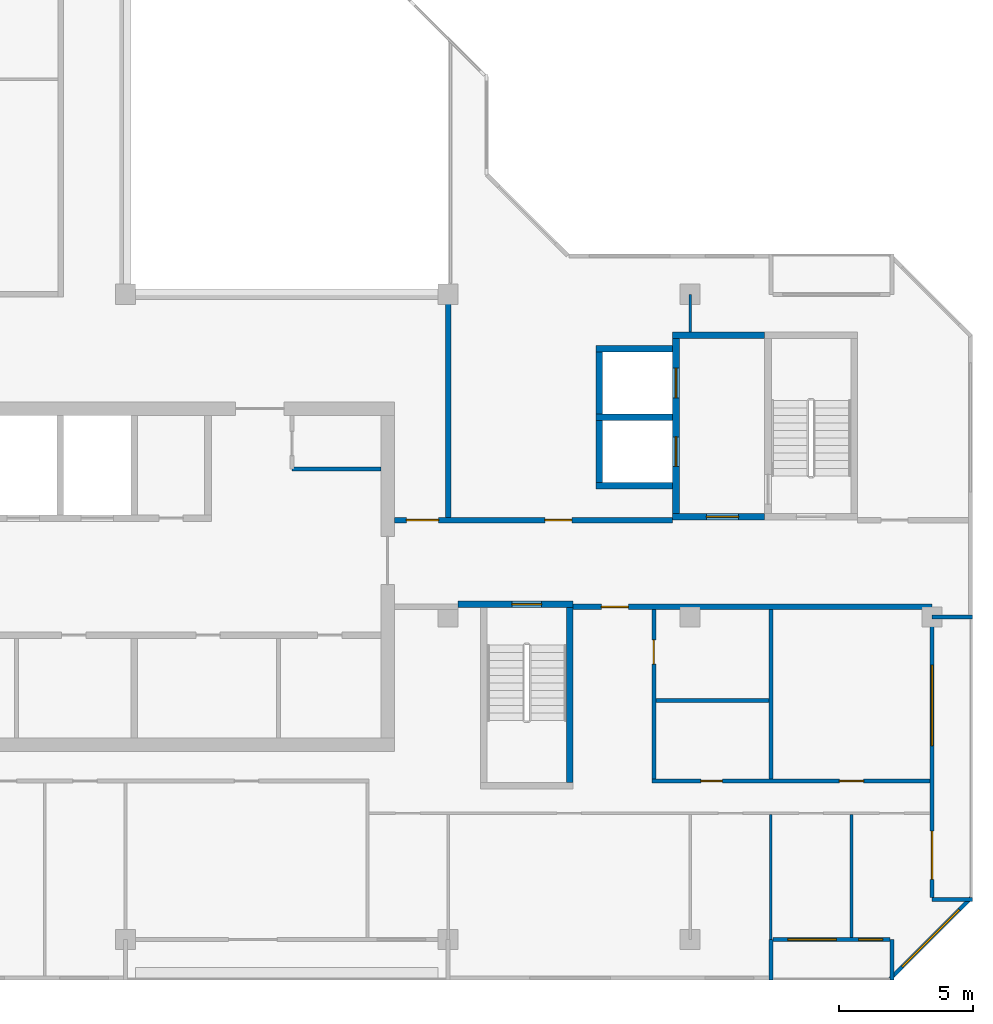
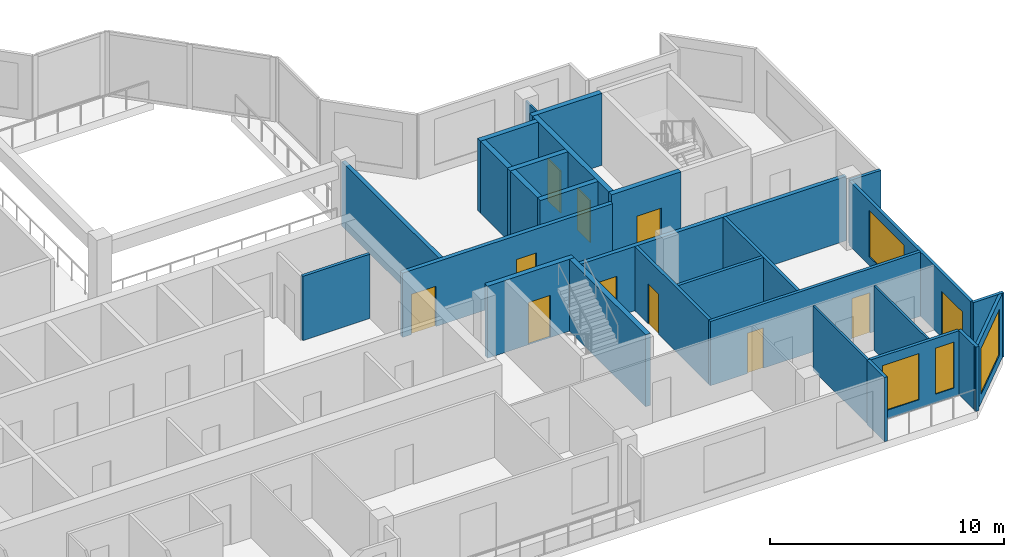
# One storey, part 6 of 12: 28 walls, 11 doors, 4 windows, 15 openings.
"""IFC4 building model written with IfcOpenShell, lengths in metres."""

from ifc_helpers import new_model, si_unit, direction, frame, frame_2d, origin, place, context, subcontext, project, spatial, rectangle, extrude, material, layer, layer_set, type_object, element, fill, save


model = new_model("IFC4")

# Units and contexts
model_context = context("Model", 3, precision=1e-05, world=origin(), true_north=direction((0.0, 1.0)))
body_context = subcontext(model_context, "Body", "Model", "MODEL_VIEW")
ifc_project = project(units=[si_unit("LENGTHUNIT", "METRE"), si_unit("AREAUNIT", "SQUARE_METRE"), si_unit("VOLUMEUNIT", "CUBIC_METRE"), si_unit("PLANEANGLEUNIT", "RADIAN"), si_unit("MASSUNIT", "GRAM", prefix="KILO")], contexts=[model_context])

# Site, building, storey
site_placement = place(None, origin())
site = spatial("IfcSite", under=ifc_project, at=site_placement, CompositionType="ELEMENT")
building_placement = place(site_placement, origin())
building = spatial("IfcBuilding", under=site, at=building_placement, Name="Chenar Terraces", CompositionType="ELEMENT")
storey_placement = place(building_placement, frame((0.0, 0.0, 372.64990234375)))
storey = spatial("IfcBuildingStorey", under=building, at=storey_placement, Name="L87", CompositionType="ELEMENT", Elevation=372.64990234375)

# Wall
ifc_material_1 = material(Name="Gypsum board on steel studs", Category="steel")
ifc_layer_1 = layer(ifc_material_1, 0.14990234375)
ifc_layer_set_1 = layer_set([ifc_layer_1], Name="Gypsum board on steel studs")
wall_type_1 = type_object("IfcWallType", Name="Core partition 150 gypsum board", PredefinedType="PARTITIONING", material=ifc_layer_set_1)
wall_1_placement = place(storey_placement, frame((30.199951171875, 17.5, 0.0), z_axis=(0.0, 0.0, 1.0), x_axis=(1.0, 0.0, 0.0)))
element("IfcWall", 1, at=wall_1_placement, inside=storey, type_object=wall_type_1, Name="Core partition CP1 vestibule room south wall", PredefinedType="PARTITIONING", context=body_context, shape_type="SweptSolid", body=[
    extrude(rectangle(XDim=3.300048828125, YDim=0.14990234375, at=frame_2d((1.64990234375, 0.0))), origin(), (0.0, 0.0, 1.0), 3.35009765625),
])

# Wall, opening, door
ifc_material_2 = material(Name="Concrete C50/60", Category="concrete")
ifc_layer_2 = layer(ifc_material_2, 0.25)
ifc_layer_set_2 = layer_set([ifc_layer_2], Name="Concrete C50/60")
wall_type_2 = type_object("IfcWallType", Name="Core wall 250 Concrete C50/60", PredefinedType="SHEAR", material=ifc_layer_set_2)
wall_2_placement = place(storey_placement, frame((36.375, 12.47509765625, 0.0), z_axis=(0.0, 0.0, 1.0), x_axis=(1.0, 0.0, 0.0)))
wall_2 = element("IfcWall", 2, at=wall_2_placement, inside=storey, type_object=wall_type_2, Name="Core wall ST2_N L87", PredefinedType="SHEAR", context=body_context, shape_type="SweptSolid", body=[
    extrude(rectangle(XDim=4.27490234375, YDim=0.25, at=frame_2d((2.137451171875, 0.0))), origin(), (0.0, 0.0, 1.0), 3.75),
])
opening_1_placement = place(wall_2_placement, frame((2.0, 0.0, 0.0)))
opening_1 = element("IfcOpeningElement", 3, at=opening_1_placement, cuts=wall_2, Name="Opening DL87-C7", PredefinedType="OPENING", context=body_context, shape_type="SweptSolid", body=[
    extrude(rectangle(XDim=1.10009765625, YDim=2.199951171875, at=frame_2d((0.550048828125, 1.10009765625))), frame((0.0, 0.135009765625, 0.0), z_axis=(0.0, -1.0, 0.0), x_axis=(1.0, 0.0, 0.0)), (0.0, 0.0, 1.0), 0.27001953125),
])
ifc_material_3 = material(Name="Steel-framed fire-resisting door leaf", Category="steel")
door_type_1 = type_object("IfcDoorType", Name="Stair fire door FD60 1100 x 2200", OperationType="SINGLE_SWING_LEFT", PredefinedType="DOOR", material=ifc_material_3)
door_1_placement = place(opening_1_placement, frame((1.10009765625, 0.0, 0.0), z_axis=(0.0, 0.0, 1.0), x_axis=(-1.0, 0.0, 0.0)))
door_1 = element("IfcDoor", 4, at=door_1_placement, inside=storey, type_object=door_type_1, Name="Stair door DL87-C7", OperationType="SINGLE_SWING_LEFT", OverallHeight=2.199951171875, OverallWidth=1.10009765625, PredefinedType="DOOR", context=body_context, shape_type="SweptSolid", body=[
    extrude(rectangle(XDim=1.10009765625, YDim=2.199951171875, at=frame_2d((0.550048828125, 1.10009765625))), frame((0.0, 0.02490234375, 0.0), z_axis=(0.0, -1.0, 0.0), x_axis=(1.0, 0.0, 0.0)), (0.0, 0.0, 1.0), 0.050048828125),
])
fill(opening_1, door_1)

# Wall
wall_3_placement = place(storey_placement, frame((40.52490234375, 5.85009765625, 0.0), z_axis=(0.0, 0.0, 1.0), x_axis=(0.0, 1.0, 0.0)))
element("IfcWall", 5, at=wall_3_placement, inside=storey, type_object=wall_type_2, Name="Core wall ST2_E L87", PredefinedType="SHEAR", context=body_context, shape_type="SweptSolid", body=[
    extrude(rectangle(XDim=6.5, YDim=0.25, at=frame_2d((3.25, 0.0))), origin(), (0.0, 0.0, 1.0), 3.75),
])

# Wall, opening, door
wall_4_placement = place(storey_placement, frame((44.35009765625, 15.72509765625, 0.0), z_axis=(0.0, 0.0, 1.0), x_axis=(1.0, 0.0, 0.0)))
wall_4 = element("IfcWall", 6, at=wall_4_placement, inside=storey, type_object=wall_type_2, Name="Core wall F3_LS L87", PredefinedType="SHEAR", context=body_context, shape_type="SweptSolid", body=[
    extrude(rectangle(XDim=3.4248046875, YDim=0.25, at=frame_2d((1.71240234375, 0.0))), origin(), (0.0, 0.0, 1.0), 3.75),
])
opening_2_placement = place(wall_4_placement, frame((1.25, 0.0, 0.0)))
opening_2 = element("IfcOpeningElement", 7, at=opening_2_placement, cuts=wall_4, Name="Opening DL87-C10", PredefinedType="OPENING", context=body_context, shape_type="SweptSolid", body=[
    extrude(rectangle(XDim=1.199951171875, YDim=2.199951171875, at=frame_2d((0.60009765625, 1.10009765625))), frame((0.0, 0.135009765625, 0.0), z_axis=(0.0, -1.0, 0.0), x_axis=(1.0, 0.0, 0.0)), (0.0, 0.0, 1.0), 0.27001953125),
])
ifc_material_4 = material(Name="Steel-framed fire-resisting door leaf", Category="steel")
door_type_2 = type_object("IfcDoorType", Name="Lobby fire door FD60 1200 x 2200", OperationType="SINGLE_SWING_LEFT", PredefinedType="DOOR", material=ifc_material_4)
door_2_placement = place(opening_2_placement, origin())
door_2 = element("IfcDoor", 8, at=door_2_placement, inside=storey, type_object=door_type_2, Name="Core door DL87-C10", OperationType="SINGLE_SWING_RIGHT", OverallHeight=2.199951171875, OverallWidth=1.199951171875, PredefinedType="DOOR", context=body_context, shape_type="SweptSolid", body=[
    extrude(rectangle(XDim=1.199951171875, YDim=2.199951171875, at=frame_2d((0.60009765625, 1.10009765625))), frame((0.0, 0.02490234375, 0.0), z_axis=(0.0, -1.0, 0.0), x_axis=(1.0, 0.0, 0.0)), (0.0, 0.0, 1.0), 0.050048828125),
])
fill(opening_2, door_2)

# Wall
wall_5_placement = place(storey_placement, frame((44.35009765625, 22.47509765625, 0.0), z_axis=(0.0, 0.0, 1.0), x_axis=(1.0, 0.0, 0.0)))
element("IfcWall", 9, at=wall_5_placement, inside=storey, type_object=wall_type_2, Name="Core wall F3_LN L87", PredefinedType="SHEAR", context=body_context, shape_type="SweptSolid", body=[
    extrude(rectangle(XDim=3.4248046875, YDim=0.25, at=frame_2d((1.71240234375, 0.0))), origin(), (0.0, 0.0, 1.0), 3.75),
])

# Wall, openings, doors
wall_6_placement = place(storey_placement, frame((44.47509765625, 15.85009765625, 0.0), z_axis=(0.0, 0.0, 1.0), x_axis=(0.0, 1.0, 0.0)))
wall_6 = element("IfcWall", 10, at=wall_6_placement, inside=storey, type_object=wall_type_2, Name="Core wall F3_LW L87", PredefinedType="SHEAR", context=body_context, shape_type="SweptSolid", body=[
    extrude(rectangle(XDim=6.5, YDim=0.25, at=frame_2d((3.25, 0.0))), origin(), (0.0, 0.0, 1.0), 3.75),
])
opening_3_placement = place(wall_6_placement, frame((1.75, 0.0, 0.0)))
opening_3 = element("IfcOpeningElement", 11, at=opening_3_placement, cuts=wall_6, Name="Opening DL87-LD8", PredefinedType="OPENING", context=body_context, shape_type="SweptSolid", body=[
    extrude(rectangle(XDim=1.10009765625, YDim=2.199951171875, at=frame_2d((0.550048828125, 1.10009765625))), frame((0.0, 0.135009765625, 0.0), z_axis=(0.0, -1.0, 0.0), x_axis=(1.0, 0.0, 0.0)), (0.0, 0.0, 1.0), 0.27001953125),
])
opening_4_placement = place(wall_6_placement, frame((4.300048828125, 0.0, 0.0)))
opening_4 = element("IfcOpeningElement", 12, at=opening_4_placement, cuts=wall_6, Name="Opening DL87-LD9", PredefinedType="OPENING", context=body_context, shape_type="SweptSolid", body=[
    extrude(rectangle(XDim=1.10009765625, YDim=2.199951171875, at=frame_2d((0.550048828125, 1.10009765625))), frame((0.0, 0.135009765625, 0.0), z_axis=(0.0, -1.0, 0.0), x_axis=(1.0, 0.0, 0.0)), (0.0, 0.0, 1.0), 0.27001953125),
])
ifc_material_5 = material(Name="Stainless steel", Category="steel")
door_type_3 = type_object("IfcDoorType", Name="Lift landing door 1100 x 2200 sliding", OperationType="DOUBLE_DOOR_SLIDING", PredefinedType="DOOR", material=ifc_material_5)
door_3_placement = place(opening_3_placement, origin())
door_3 = element("IfcDoor", 13, at=door_3_placement, inside=storey, type_object=door_type_3, Name="Landing door F3", OperationType="DOUBLE_DOOR_SLIDING", OverallHeight=2.199951171875, OverallWidth=1.10009765625, PredefinedType="DOOR", context=body_context, shape_type="SweptSolid", body=[
    extrude(rectangle(XDim=1.10009765625, YDim=2.199951171875, at=frame_2d((0.550048828125, 1.10009765625))), frame((0.0, 0.02490234375, 0.0), z_axis=(0.0, -1.0, 0.0), x_axis=(1.0, 0.0, 0.0)), (0.0, 0.0, 1.0), 0.050048828125),
])
fill(opening_3, door_3)
door_4_placement = place(opening_4_placement, origin())
door_4 = element("IfcDoor", 14, at=door_4_placement, inside=storey, type_object=door_type_3, Name="Landing door F4", OperationType="DOUBLE_DOOR_SLIDING", OverallHeight=2.199951171875, OverallWidth=1.10009765625, PredefinedType="DOOR", context=body_context, shape_type="SweptSolid", body=[
    extrude(rectangle(XDim=1.10009765625, YDim=2.199951171875, at=frame_2d((0.550048828125, 1.10009765625))), frame((0.0, 0.02490234375, 0.0), z_axis=(0.0, -1.0, 0.0), x_axis=(1.0, 0.0, 0.0)), (0.0, 0.0, 1.0), 0.050048828125),
])
fill(opening_4, door_4)

# Walls
for number, where, z_axis, x_axis, name in (
    (15, (41.5, 16.875, 0.0), (0.0, 0.0, 1.0), (1.0, 0.0, 0.0), "Core wall F3_SS L87"),
    (16, (41.5, 19.425048828125, 0.0), (0.0, 0.0, 1.0), (1.0, 0.0, 0.0), "Core wall F3_SM L87"),
    (17, (41.5, 21.97509765625, 0.0), (0.0, 0.0, 1.0), (1.0, 0.0, 0.0), "Core wall F4_SN L87"),
):
    element("IfcWall", number, at=place(storey_placement, frame(where, z_axis=z_axis, x_axis=x_axis)), inside=storey, type_object=wall_type_2, Name=name, PredefinedType="SHEAR", context=body_context, shape_type="SweptSolid", body=[
        extrude(rectangle(XDim=2.85009765625, YDim=0.25, at=frame_2d((1.425048828125, 0.0))), origin(), (0.0, 0.0, 1.0), 3.75),
    ])
for number, where, z_axis, x_axis, name in (
    (18, (41.625, 17.0, 0.0), (0.0, 0.0, 1.0), (0.0, 1.0, 0.0), "Core wall F3_SW L87"),
    (19, (41.625, 19.550048828125, 0.0), (0.0, 0.0, 1.0), (0.0, 1.0, 0.0), "Core wall F4_SW L87"),
):
    element("IfcWall", number, at=place(storey_placement, frame(where, z_axis=z_axis, x_axis=x_axis)), inside=storey, type_object=wall_type_2, Name=name, PredefinedType="SHEAR", context=body_context, shape_type="SweptSolid", body=[
        extrude(rectangle(XDim=2.300048828125, YDim=0.25, at=frame_2d((1.14990234375, 0.0))), origin(), (0.0, 0.0, 1.0), 3.75),
    ])

# Wall, openings, doors
ifc_material_6 = material(Name="Gypsum board on steel studs with fire boards", Category="steel")
ifc_layer_3 = layer(ifc_material_6, 0.199951171875)
ifc_layer_set_3 = layer_set([ifc_layer_3], Name="Gypsum board on steel studs with fire boards")
wall_type_3 = type_object("IfcWallType", Name="Corridor wall 200", PredefinedType="PARTITIONING", material=ifc_layer_set_3)
wall_7_placement = place(storey_placement, frame((34.0, 15.60009765625, 0.0), z_axis=(0.0, 0.0, 1.0), x_axis=(1.0, 0.0, 0.0)))
wall_7 = element("IfcWall", 20, at=wall_7_placement, inside=storey, type_object=wall_type_3, Name="Partition L87-049", PredefinedType="PARTITIONING", context=body_context, shape_type="SweptSolid", body=[
    extrude(rectangle(XDim=10.35009765625, YDim=0.199951171875, at=frame_2d((5.175048828125, 0.0))), origin(), (0.0, 0.0, 1.0), 3.35009765625),
])
opening_5_placement = place(wall_7_placement, frame((5.60009765625, 0.0, 0.0)))
opening_5 = element("IfcOpeningElement", 21, at=opening_5_placement, cuts=wall_7, Name="Opening DL87-3", PredefinedType="OPENING", context=body_context, shape_type="SweptSolid", body=[
    extrude(rectangle(XDim=1.0, YDim=2.10009765625, at=frame_2d((0.5, 1.050048828125))), frame((0.0, 0.10986328125, 0.0), z_axis=(0.0, -1.0, 0.0), x_axis=(1.0, 0.0, 0.0)), (0.0, 0.0, 1.0), 0.219970703125),
])
opening_6_placement = place(wall_7_placement, frame((0.449951171875, 0.0, 0.0)))
opening_6 = element("IfcOpeningElement", 22, at=opening_6_placement, cuts=wall_7, Name="Opening DL87-16", PredefinedType="OPENING", context=body_context, shape_type="SweptSolid", body=[
    extrude(rectangle(XDim=1.199951171875, YDim=2.10009765625, at=frame_2d((0.60009765625, 1.050048828125))), frame((0.0, 0.10986328125, 0.0), z_axis=(0.0, -1.0, 0.0), x_axis=(1.0, 0.0, 0.0)), (0.0, 0.0, 1.0), 0.219970703125),
])
ifc_material_7 = material(Name="Steel-framed fire-resisting door leaf", Category="steel")
door_type_4 = type_object("IfcDoorType", Name="Fire door FD60 1000 x 2100", OperationType="SINGLE_SWING_LEFT", PredefinedType="DOOR", material=ifc_material_7)
door_5_placement = place(opening_5_placement, origin())
door_5 = element("IfcDoor", 23, at=door_5_placement, inside=storey, type_object=door_type_4, Name="Door DL87-3", OperationType="SINGLE_SWING_RIGHT", OverallHeight=2.10009765625, OverallWidth=1.0, PredefinedType="DOOR", context=body_context, shape_type="SweptSolid", body=[
    extrude(rectangle(XDim=1.0, YDim=2.10009765625, at=frame_2d((0.5, 1.050048828125))), frame((0.0, 0.02490234375, 0.0), z_axis=(0.0, -1.0, 0.0), x_axis=(1.0, 0.0, 0.0)), (0.0, 0.0, 1.0), 0.050048828125),
])
fill(opening_5, door_5)
ifc_material_8 = material(Name="Steel-framed fire-resisting door leaf", Category="steel")
door_type_5 = type_object("IfcDoorType", Name="Fire door FD60 1200 x 2100", OperationType="SINGLE_SWING_LEFT", PredefinedType="DOOR", material=ifc_material_8)
door_6_placement = place(opening_6_placement, origin())
door_6 = element("IfcDoor", 24, at=door_6_placement, inside=storey, type_object=door_type_5, Name="Door DL87-16", OperationType="SINGLE_SWING_RIGHT", OverallHeight=2.10009765625, OverallWidth=1.199951171875, PredefinedType="DOOR", context=body_context, shape_type="SweptSolid", body=[
    extrude(rectangle(XDim=1.199951171875, YDim=2.10009765625, at=frame_2d((0.60009765625, 1.050048828125))), frame((0.0, 0.02490234375, 0.0), z_axis=(0.0, -1.0, 0.0), x_axis=(1.0, 0.0, 0.0)), (0.0, 0.0, 1.0), 0.050048828125),
])
fill(opening_6, door_6)

# Wall
wall_8_placement = place(storey_placement, frame((36.0, 15.699951171875, 0.0), z_axis=(0.0, 0.0, 1.0), x_axis=(0.0, 1.0, 0.0)))
element("IfcWall", 25, at=wall_8_placement, inside=storey, type_object=wall_type_3, Name="Partition L87-051", PredefinedType="PARTITIONING", context=body_context, shape_type="SweptSolid", body=[
    extrude(rectangle(XDim=8.300048828125, YDim=0.199951171875, at=frame_2d((4.14990234375, 0.0))), origin(), (0.0, 0.0, 1.0), 3.35009765625),
])

# Wall, opening, door
wall_9_placement = place(storey_placement, frame((40.64990234375, 12.375, 0.0), z_axis=(0.0, 0.0, 1.0), x_axis=(1.0, 0.0, 0.0)))
wall_9 = element("IfcWall", 26, at=wall_9_placement, inside=storey, type_object=wall_type_3, Name="Partition L87-052", PredefinedType="PARTITIONING", context=body_context, shape_type="SweptSolid", body=[
    extrude(rectangle(XDim=13.35009765625, YDim=0.199951171875, at=frame_2d((6.675048828125, 0.0))), origin(), (0.0, 0.0, 1.0), 3.35009765625),
])
opening_7_placement = place(wall_9_placement, frame((1.050048828125, 0.0, 0.0)))
opening_7 = element("IfcOpeningElement", 27, at=opening_7_placement, cuts=wall_9, Name="Opening DL87-33", PredefinedType="OPENING", context=body_context, shape_type="SweptSolid", body=[
    extrude(rectangle(XDim=1.0, YDim=2.10009765625, at=frame_2d((0.5, 1.050048828125))), frame((0.0, 0.10986328125, 0.0), z_axis=(0.0, -1.0, 0.0), x_axis=(1.0, 0.0, 0.0)), (0.0, 0.0, 1.0), 0.219970703125),
])
ifc_material_9 = material(Name="Steel-framed fire-resisting door leaf", Category="steel")
door_type_6 = type_object("IfcDoorType", Name="Fire door FD30S 1000 x 2100", OperationType="SINGLE_SWING_LEFT", PredefinedType="DOOR", material=ifc_material_9)
door_7_placement = place(opening_7_placement, origin())
door_7 = element("IfcDoor", 28, at=door_7_placement, inside=storey, type_object=door_type_6, Name="Door DL87-33", OperationType="SINGLE_SWING_LEFT", OverallHeight=2.10009765625, OverallWidth=1.0, PredefinedType="DOOR", context=body_context, shape_type="SweptSolid", body=[
    extrude(rectangle(XDim=1.0, YDim=2.10009765625, at=frame_2d((0.5, 1.050048828125))), frame((0.0, 0.02490234375, 0.0), z_axis=(0.0, -1.0, 0.0), x_axis=(1.0, 0.0, 0.0)), (0.0, 0.0, 1.0), 0.050048828125),
])
fill(opening_7, door_7)

# Wall, openings, windows
ifc_material_10 = material(Name="Aluminium framed glazing", Category="aluminium")
ifc_layer_4 = layer(ifc_material_10, 0.14990234375)
ifc_layer_set_4 = layer_set([ifc_layer_4], Name="Aluminium framed glazing")
wall_type_4 = type_object("IfcWallType", Name="Glazed loggia back wall 150", PredefinedType="SOLIDWALL", material=ifc_layer_set_4)
wall_10_placement = place(storey_placement, frame((48.074951171875, 0.0, 0.0), z_axis=(0.0, 0.0, 1.0), x_axis=(1.0, 0.0, 0.0)))
wall_10 = element("IfcWall", 29, at=wall_10_placement, inside=storey, type_object=wall_type_4, Name="Glazed loggia back wall", PredefinedType="SOLIDWALL", context=body_context, shape_type="SweptSolid", body=[
    extrude(rectangle(XDim=4.35009765625, YDim=0.14990234375, at=frame_2d((2.175048828125, 0.0))), origin(), (0.0, 0.0, 1.0), 3.35009765625),
])
opening_8_placement = place(wall_10_placement, frame((0.5625, 0.0, 0.449951171875)))
opening_8 = element("IfcOpeningElement", 30, at=opening_8_placement, cuts=wall_10, Name="Opening W180x240", PredefinedType="OPENING", context=body_context, shape_type="SweptSolid", body=[
    extrude(rectangle(XDim=1.800048828125, YDim=2.39990234375, at=frame_2d((0.89990234375, 1.199951171875))), frame((0.0, 0.0849609375, 0.0), z_axis=(0.0, -1.0, 0.0), x_axis=(1.0, 0.0, 0.0)), (0.0, 0.0, 1.0), 0.169921875),
])
opening_9_placement = place(wall_10_placement, frame((3.1875, 0.0, 0.449951171875)))
opening_9 = element("IfcOpeningElement", 31, at=opening_9_placement, cuts=wall_10, Name="Opening W90x240", PredefinedType="OPENING", context=body_context, shape_type="SweptSolid", body=[
    extrude(rectangle(XDim=0.89990234375, YDim=2.39990234375, at=frame_2d((0.449951171875, 1.199951171875))), frame((0.0, 0.0849609375, 0.0), z_axis=(0.0, -1.0, 0.0), x_axis=(1.0, 0.0, 0.0)), (0.0, 0.0, 1.0), 0.169921875),
])
ifc_material_11 = material(Name="Low emissivity double glazing, aluminium frame", Category="aluminium")
window_type_1 = type_object("IfcWindowType", Name="Fixed light 1800 x 2400", PartitioningType="SINGLE_PANEL", PredefinedType="WINDOW", material=ifc_material_11)
window_1_placement = place(opening_8_placement, origin())
window_1 = element("IfcWindow", 32, at=window_1_placement, inside=storey, type_object=window_type_1, Name="Window", OverallHeight=2.39990234375, OverallWidth=1.800048828125, PartitioningType="SINGLE_PANEL", PredefinedType="WINDOW", context=body_context, shape_type="SweptSolid", body=[
    extrude(rectangle(XDim=1.800048828125, YDim=2.39990234375, at=frame_2d((0.89990234375, 1.199951171875))), frame((0.0, 0.030029296875, 0.0), z_axis=(0.0, -1.0, 0.0), x_axis=(1.0, 0.0, 0.0)), (0.0, 0.0, 1.0), 0.06005859375),
])
fill(opening_8, window_1)
ifc_material_12 = material(Name="Low emissivity double glazing, aluminium frame", Category="aluminium")
window_type_2 = type_object("IfcWindowType", Name="Fixed light 900 x 2400", PartitioningType="SINGLE_PANEL", PredefinedType="WINDOW", material=ifc_material_12)
window_2_placement = place(opening_9_placement, origin())
window_2 = element("IfcWindow", 33, at=window_2_placement, inside=storey, type_object=window_type_2, Name="Window", OverallHeight=2.39990234375, OverallWidth=0.89990234375, PartitioningType="SINGLE_PANEL", PredefinedType="WINDOW", context=body_context, shape_type="SweptSolid", body=[
    extrude(rectangle(XDim=0.89990234375, YDim=2.39990234375, at=frame_2d((0.449951171875, 1.199951171875))), frame((0.0, 0.030029296875, 0.0), z_axis=(0.0, -1.0, 0.0), x_axis=(1.0, 0.0, 0.0)), (0.0, 0.0, 1.0), 0.06005859375),
])
fill(opening_9, window_2)

# Wall, openings, window, door
wall_11_placement = place(storey_placement, frame((54.0, 1.574951171875, 0.0), z_axis=(0.0, 0.0, 1.0), x_axis=(0.0, 1.0, 0.0)))
wall_11 = element("IfcWall", 34, at=wall_11_placement, inside=storey, type_object=wall_type_4, Name="Glazed loggia back wall", PredefinedType="SOLIDWALL", context=body_context, shape_type="SweptSolid", body=[
    extrude(rectangle(XDim=10.35009765625, YDim=0.14990234375, at=frame_2d((5.175048828125, 0.0))), origin(), (0.0, 0.0, 1.0), 3.35009765625),
])
opening_10_placement = place(wall_11_placement, frame((0.66259765625, 0.0, 0.0)))
opening_10 = element("IfcOpeningElement", 35, at=opening_10_placement, cuts=wall_11, Name="Opening DL87-G4", PredefinedType="OPENING", context=body_context, shape_type="SweptSolid", body=[
    extrude(rectangle(XDim=1.800048828125, YDim=2.39990234375, at=frame_2d((0.89990234375, 1.199951171875))), frame((0.0, 0.0849609375, 0.0), z_axis=(0.0, -1.0, 0.0), x_axis=(1.0, 0.0, 0.0)), (0.0, 0.0, 1.0), 0.169921875),
])
opening_11_placement = place(wall_11_placement, frame((5.637451171875, 0.0, 0.449951171875)))
opening_11 = element("IfcOpeningElement", 36, at=opening_11_placement, cuts=wall_11, Name="Opening W300x240", PredefinedType="OPENING", context=body_context, shape_type="SweptSolid", body=[
    extrude(rectangle(XDim=3.0, YDim=2.39990234375, at=frame_2d((1.5, 1.199951171875))), frame((0.0, 0.0849609375, 0.0), z_axis=(0.0, -1.0, 0.0), x_axis=(1.0, 0.0, 0.0)), (0.0, 0.0, 1.0), 0.169921875),
])
ifc_material_13 = material(Name="Low emissivity double glazing, aluminium frame", Category="aluminium")
window_type_3 = type_object("IfcWindowType", Name="Fixed light 3000 x 2400", PartitioningType="SINGLE_PANEL", PredefinedType="WINDOW", material=ifc_material_13)
window_3_placement = place(opening_11_placement, origin())
window_3 = element("IfcWindow", 37, at=window_3_placement, inside=storey, type_object=window_type_3, Name="Window", OverallHeight=2.39990234375, OverallWidth=3.0, PartitioningType="SINGLE_PANEL", PredefinedType="WINDOW", context=body_context, shape_type="SweptSolid", body=[
    extrude(rectangle(XDim=3.0, YDim=2.39990234375, at=frame_2d((1.5, 1.199951171875))), frame((0.0, 0.030029296875, 0.0), z_axis=(0.0, -1.0, 0.0), x_axis=(1.0, 0.0, 0.0)), (0.0, 0.0, 1.0), 0.06005859375),
])
fill(opening_11, window_3)
ifc_material_14 = material(Name="Low emissivity double glazing, aluminium frame", Category="aluminium")
door_type_7 = type_object("IfcDoorType", Name="Loggia glazed double door 1800 x 2400", OperationType="DOUBLE_DOOR_SINGLE_SWING", PredefinedType="DOOR", material=ifc_material_14)
door_8_placement = place(opening_10_placement, frame((1.800048828125, 0.0, 0.0), z_axis=(0.0, 0.0, 1.0), x_axis=(-1.0, 0.0, 0.0)))
door_8 = element("IfcDoor", 38, at=door_8_placement, inside=storey, type_object=door_type_7, Name="Loggia glazed door", OperationType="DOUBLE_DOOR_SINGLE_SWING", OverallHeight=2.39990234375, OverallWidth=1.800048828125, PredefinedType="DOOR", context=body_context, shape_type="SweptSolid", body=[
    extrude(rectangle(XDim=1.800048828125, YDim=2.39990234375, at=frame_2d((0.89990234375, 1.199951171875))), frame((0.0, 0.02490234375, 0.0), z_axis=(0.0, -1.0, 0.0), x_axis=(1.0, 0.0, 0.0)), (0.0, 0.0, 1.0), 0.050048828125),
])
fill(opening_10, door_8)

# Walls
ifc_material_15 = material(Name="Gypsum board on steel studs", Category="steel")
ifc_layer_5 = layer(ifc_material_15, 0.10009765625)
ifc_layer_set_5 = layer_set([ifc_layer_5], Name="Gypsum board on steel studs")
wall_type_5 = type_object("IfcWallType", Name="Gypsum partition 100", PredefinedType="PARTITIONING", material=ifc_layer_set_5)
wall_12_placement = place(storey_placement, frame((45.0, 22.60009765625, 0.0), z_axis=(0.0, 0.0, 1.0), x_axis=(0.0, 1.0, 0.0)))
element("IfcWall", 39, at=wall_12_placement, inside=storey, type_object=wall_type_5, Name="Partition L87-057", PredefinedType="PARTITIONING", context=body_context, shape_type="SweptSolid", body=[
    extrude(rectangle(XDim=1.39990234375, YDim=0.10009765625, at=frame_2d((0.699951171875, 0.0))), origin(), (0.0, 0.0, 1.0), 3.35009765625),
])
wall_13_placement = place(storey_placement, frame((48.0, 0.0, 0.0), z_axis=(0.0, 0.0, 1.0), x_axis=(0.0, 1.0, 0.0)))
element("IfcWall", 40, at=wall_13_placement, inside=storey, type_object=wall_type_5, Name="Partition L87-058", PredefinedType="PARTITIONING", context=body_context, shape_type="SweptSolid", body=[
    extrude(rectangle(XDim=4.64990234375, YDim=0.10009765625, at=frame_2d((2.324951171875, 0.0))), origin(), (0.0, 0.0, 1.0), 3.35009765625),
])
wall_14_placement = place(storey_placement, frame((51.0, 0.073974609375, 0.0), z_axis=(0.0, 0.0, 1.0), x_axis=(0.0, 1.0, 0.0)))
element("IfcWall", 41, at=wall_14_placement, inside=storey, type_object=wall_type_5, Name="Partition L87-060", PredefinedType="PARTITIONING", context=body_context, shape_type="SweptSolid", body=[
    extrude(rectangle(XDim=4.575927734375, YDim=0.10009765625, at=frame_2d((2.2880859375, 0.0))), origin(), (0.0, 0.0, 1.0), 3.35009765625),
])
ifc_material_16 = material(Name="Terracotta cladding on insulated backing", Category="masonry")
ifc_layer_6 = layer(ifc_material_16, 0.14990234375)
ifc_layer_set_6 = layer_set([ifc_layer_6], Name="Terracotta cladding on insulated backing")
wall_type_6 = type_object("IfcWallType", Name="Loggia return wall 150", PredefinedType="SOLIDWALL", material=ifc_layer_set_6)
for number, where, z_axis, x_axis, name in (
    (42, (48.0, -1.5, 0.0), (0.0, 0.0, 1.0), (0.0, 1.0, 0.0), "Loggia return wall"),
    (43, (52.5, -1.5, 0.0), (0.0, 0.0, 1.0), (0.0, 1.0, 0.0), "Loggia return wall"),
    (44, (55.5, 1.5, 0.0), (0.0, 0.0, 1.0), (-1.0, 0.0, 0.0), "Loggia return wall"),
    (45, (55.5, 12.0, 0.0), (0.0, 0.0, 1.0), (-1.0, 0.0, 0.0), "Loggia return wall"),
):
    element("IfcWall", number, at=place(storey_placement, frame(where, z_axis=z_axis, x_axis=x_axis)), inside=storey, type_object=wall_type_6, Name=name, PredefinedType="SOLIDWALL", context=body_context, shape_type="SweptSolid", body=[
        extrude(rectangle(XDim=1.5, YDim=0.14990234375, at=frame_2d((0.75, 0.0))), origin(), (0.0, 0.0, 1.0), 3.35009765625),
    ])

# Wall, opening, window
ifc_material_17 = material(Name="Terracotta cladding on insulated backing", Category="masonry")
ifc_layer_7 = layer(ifc_material_17, 0.14990234375)
ifc_layer_set_7 = layer_set([ifc_layer_7], Name="Terracotta cladding on insulated backing")
wall_type_7 = type_object("IfcWallType", Name="Terracotta rainscreen wall 150", PredefinedType="SOLIDWALL", material=ifc_layer_set_7)
wall_15_placement = place(storey_placement, frame((52.447021484375, -1.447021484375, 0.0), z_axis=(0.0, 0.0, 1.0), x_axis=(0.707106781187, 0.707106781187, 0.0)))
wall_15 = element("IfcWall", 46, at=wall_15_placement, inside=storey, type_object=wall_type_7, Name="Terracotta rainscreen wall", PredefinedType="SOLIDWALL", context=body_context, shape_type="SweptSolid", body=[
    extrude(rectangle(XDim=4.24267578125, YDim=0.14990234375, at=frame_2d((2.121337890625, 0.0))), origin(), (0.0, 0.0, 1.0), 3.35009765625),
])
opening_12_placement = place(wall_15_placement, frame((0.621337890625, 0.0, 0.449951171875)))
opening_12 = element("IfcOpeningElement", 47, at=opening_12_placement, cuts=wall_15, Name="Opening W300x240", PredefinedType="OPENING", context=body_context, shape_type="SweptSolid", body=[
    extrude(rectangle(XDim=3.0, YDim=2.39990234375, at=frame_2d((1.5, 1.199951171875))), frame((0.0, 0.0849609375, 0.0), z_axis=(0.0, -1.0, 0.0), x_axis=(1.0, 0.0, 0.0)), (0.0, 0.0, 1.0), 0.169921875),
])
window_4_placement = place(opening_12_placement, origin())
window_4 = element("IfcWindow", 48, at=window_4_placement, inside=storey, type_object=window_type_3, Name="Window", OverallHeight=2.39990234375, OverallWidth=3.0, PartitioningType="SINGLE_PANEL", PredefinedType="WINDOW", context=body_context, shape_type="SweptSolid", body=[
    extrude(rectangle(XDim=3.0, YDim=2.39990234375, at=frame_2d((1.5, 1.199951171875))), frame((0.0, 0.030029296875, 0.0), z_axis=(0.0, -1.0, 0.0), x_axis=(1.0, 0.0, 0.0)), (0.0, 0.0, 1.0), 0.06005859375),
])
fill(opening_12, window_4)

# Wall, openings, doors
ifc_material_18 = material(Name="Moisture-resistant gypsum board on steel studs", Category="steel")
ifc_layer_8 = layer(ifc_material_18, 0.14990234375)
ifc_layer_set_8 = layer_set([ifc_layer_8], Name="Moisture-resistant gypsum board on steel studs")
wall_type_8 = type_object("IfcWallType", Name="Wet-room partition 150", PredefinedType="PARTITIONING", material=ifc_layer_set_8)
wall_16_placement = place(storey_placement, frame((43.574951171875, 5.89990234375, 0.0), z_axis=(0.0, 0.0, 1.0), x_axis=(1.0, 0.0, 0.0)))
wall_16 = element("IfcWall", 49, at=wall_16_placement, inside=storey, type_object=wall_type_8, Name="Partition L87-053", PredefinedType="PARTITIONING", context=body_context, shape_type="SweptSolid", body=[
    extrude(rectangle(XDim=10.35107421875, YDim=0.14990234375, at=frame_2d((5.175537109375, 0.0))), origin(), (0.0, 0.0, 1.0), 3.35009765625),
])
opening_13_placement = place(wall_16_placement, frame((1.824951171875, 0.0, 0.0)))
opening_13 = element("IfcOpeningElement", 50, at=opening_13_placement, cuts=wall_16, Name="Opening DL87-21", PredefinedType="OPENING", context=body_context, shape_type="SweptSolid", body=[
    extrude(rectangle(XDim=0.800048828125, YDim=2.10009765625, at=frame_2d((0.39990234375, 1.050048828125))), frame((0.0, 0.0849609375, 0.0), z_axis=(0.0, -1.0, 0.0), x_axis=(1.0, 0.0, 0.0)), (0.0, 0.0, 1.0), 0.169921875),
])
opening_14_placement = place(wall_16_placement, frame((6.97509765625, 0.0, 0.0)))
opening_14 = element("IfcOpeningElement", 51, at=opening_14_placement, cuts=wall_16, Name="Opening DL87-32", PredefinedType="OPENING", context=body_context, shape_type="SweptSolid", body=[
    extrude(rectangle(XDim=0.89990234375, YDim=2.10009765625, at=frame_2d((0.449951171875, 1.050048828125))), frame((0.0, 0.0849609375, 0.0), z_axis=(0.0, -1.0, 0.0), x_axis=(1.0, 0.0, 0.0)), (0.0, 0.0, 1.0), 0.169921875),
])
ifc_material_19 = material(Name="Veneered timber door leaf", Category="wood")
door_type_8 = type_object("IfcDoorType", Name="Door 800 x 2100", OperationType="SINGLE_SWING_LEFT", PredefinedType="DOOR", material=ifc_material_19)
door_9_placement = place(opening_13_placement, origin())
door_9 = element("IfcDoor", 52, at=door_9_placement, inside=storey, type_object=door_type_8, Name="Door DL87-21", OperationType="SINGLE_SWING_RIGHT", OverallHeight=2.10009765625, OverallWidth=0.800048828125, PredefinedType="DOOR", context=body_context, shape_type="SweptSolid", body=[
    extrude(rectangle(XDim=0.800048828125, YDim=2.10009765625, at=frame_2d((0.39990234375, 1.050048828125))), frame((0.0, 0.02490234375, 0.0), z_axis=(0.0, -1.0, 0.0), x_axis=(1.0, 0.0, 0.0)), (0.0, 0.0, 1.0), 0.050048828125),
])
fill(opening_13, door_9)
ifc_material_20 = material(Name="Veneered timber door leaf", Category="wood")
door_type_9 = type_object("IfcDoorType", Name="Door 900 x 2100", OperationType="SINGLE_SWING_LEFT", PredefinedType="DOOR", material=ifc_material_20)
door_10_placement = place(opening_14_placement, origin())
door_10 = element("IfcDoor", 53, at=door_10_placement, inside=storey, type_object=door_type_9, Name="Door DL87-32", OperationType="SINGLE_SWING_RIGHT", OverallHeight=2.10009765625, OverallWidth=0.89990234375, PredefinedType="DOOR", context=body_context, shape_type="SweptSolid", body=[
    extrude(rectangle(XDim=0.89990234375, YDim=2.10009765625, at=frame_2d((0.449951171875, 1.050048828125))), frame((0.0, 0.02490234375, 0.0), z_axis=(0.0, -1.0, 0.0), x_axis=(1.0, 0.0, 0.0)), (0.0, 0.0, 1.0), 0.050048828125),
])
fill(opening_14, door_10)

# Wall, opening, door
wall_17_placement = place(storey_placement, frame((43.64990234375, 5.97509765625, 0.0), z_axis=(0.0, 0.0, 1.0), x_axis=(0.0, 1.0, 0.0)))
wall_17 = element("IfcWall", 54, at=wall_17_placement, inside=storey, type_object=wall_type_8, Name="Partition L87-054", PredefinedType="PARTITIONING", context=body_context, shape_type="SweptSolid", body=[
    extrude(rectangle(XDim=6.2998046875, YDim=0.14990234375, at=frame_2d((3.14990234375, 0.0))), origin(), (0.0, 0.0, 1.0), 3.35009765625),
])
opening_15_placement = place(wall_17_placement, frame((4.27490234375, 0.0, 0.0)))
opening_15 = element("IfcOpeningElement", 55, at=opening_15_placement, cuts=wall_17, Name="Opening DL87-34", PredefinedType="OPENING", context=body_context, shape_type="SweptSolid", body=[
    extrude(rectangle(XDim=0.89990234375, YDim=2.10009765625, at=frame_2d((0.449951171875, 1.050048828125))), frame((0.0, 0.0849609375, 0.0), z_axis=(0.0, -1.0, 0.0), x_axis=(1.0, 0.0, 0.0)), (0.0, 0.0, 1.0), 0.169921875),
])
door_11_placement = place(opening_15_placement, frame((0.89990234375, 0.0, 0.0), z_axis=(0.0, 0.0, 1.0), x_axis=(-1.0, 0.0, 0.0)))
door_11 = element("IfcDoor", 56, at=door_11_placement, inside=storey, type_object=door_type_9, Name="Door DL87-34", OperationType="SINGLE_SWING_LEFT", OverallHeight=2.10009765625, OverallWidth=0.89990234375, PredefinedType="DOOR", context=body_context, shape_type="SweptSolid", body=[
    extrude(rectangle(XDim=0.89990234375, YDim=2.10009765625, at=frame_2d((0.449951171875, 1.050048828125))), frame((0.0, 0.02490234375, 0.0), z_axis=(0.0, -1.0, 0.0), x_axis=(1.0, 0.0, 0.0)), (0.0, 0.0, 1.0), 0.050048828125),
])
fill(opening_15, door_11)

# Walls
wall_18_placement = place(storey_placement, frame((43.72509765625, 8.89990234375, 0.0), z_axis=(0.0, 0.0, 1.0), x_axis=(1.0, 0.0, 0.0)))
element("IfcWall", 57, at=wall_18_placement, inside=storey, type_object=wall_type_8, Name="Partition L87-055", PredefinedType="PARTITIONING", context=body_context, shape_type="SweptSolid", body=[
    extrude(rectangle(XDim=4.199951171875, YDim=0.14990234375, at=frame_2d((2.10009765625, 0.0))), origin(), (0.0, 0.0, 1.0), 3.35009765625),
])
wall_19_placement = place(storey_placement, frame((48.0, 5.97509765625, 0.0), z_axis=(0.0, 0.0, 1.0), x_axis=(0.0, 1.0, 0.0)))
element("IfcWall", 58, at=wall_19_placement, inside=storey, type_object=wall_type_8, Name="Partition L87-059", PredefinedType="PARTITIONING", context=body_context, shape_type="SweptSolid", body=[
    extrude(rectangle(XDim=6.2998046875, YDim=0.14990234375, at=frame_2d((3.14990234375, 0.0))), origin(), (0.0, 0.0, 1.0), 3.35009765625),
])

save(model, "model.ifc")
